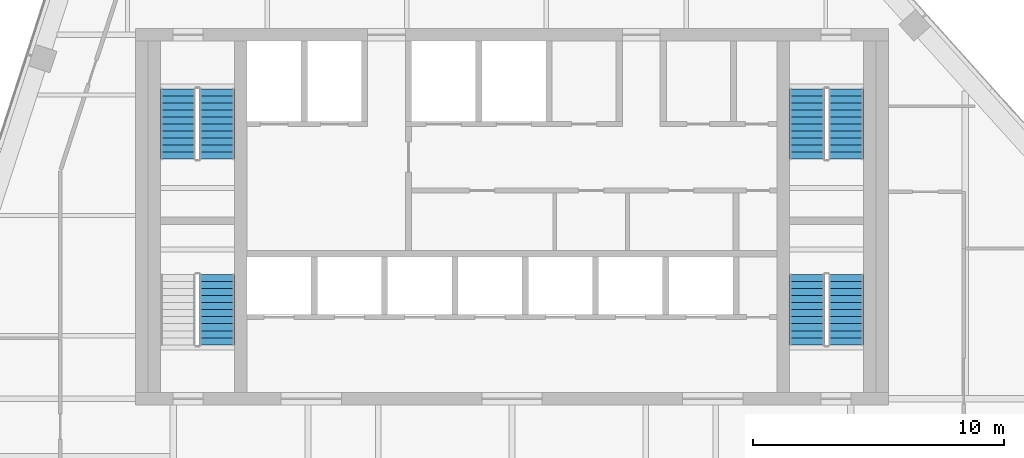
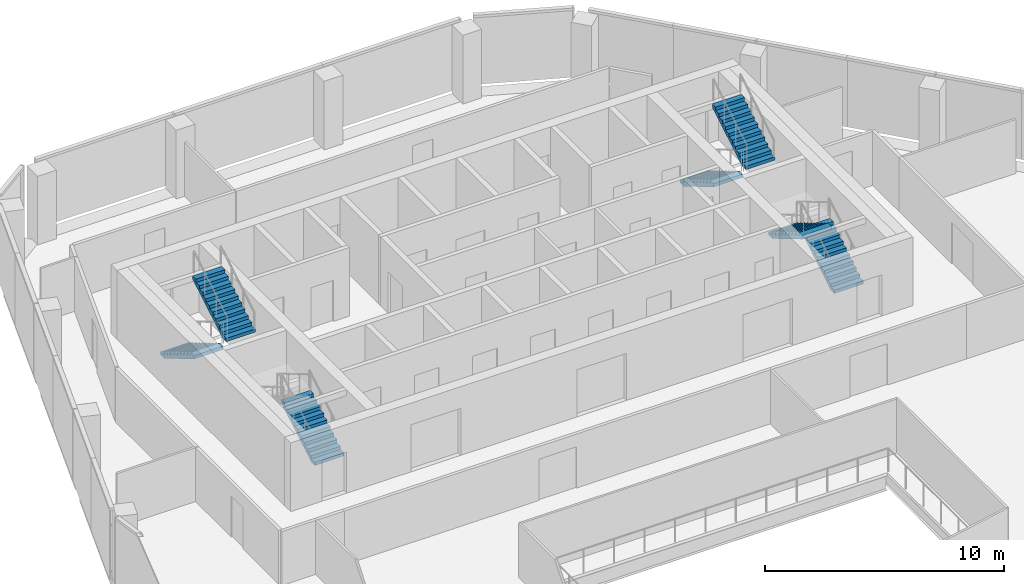
# One storey, part 10 of 15: 7 stair flights, 4 elements without a shape of their own.
"""IFC4 building model written with IfcOpenShell, lengths in metres."""

from ifc_helpers import new_model, si_unit, direction, frame, origin, place, context, subcontext, project, spatial, polyline, outline, extrude, material, type_object, element, aggregate, save


model = new_model("IFC4")

# Units and contexts
model_context = context("Model", 3, precision=1e-05, world=origin(), true_north=direction((0.0, 1.0)))
body_context = subcontext(model_context, "Body", "Model", "MODEL_VIEW")
ifc_project = project(units=[si_unit("LENGTHUNIT", "METRE"), si_unit("AREAUNIT", "SQUARE_METRE"), si_unit("VOLUMEUNIT", "CUBIC_METRE"), si_unit("PLANEANGLEUNIT", "RADIAN"), si_unit("MASSUNIT", "GRAM", prefix="KILO")], contexts=[model_context])

# Site, building, storey
site_placement = place(None, origin())
site = spatial("IfcSite", under=ifc_project, at=site_placement, CompositionType="ELEMENT")
building_placement = place(site_placement, origin())
building = spatial("IfcBuilding", under=site, at=building_placement, Name="Isthmus Gate Tower", CompositionType="ELEMENT")
storey_placement = place(building_placement, frame((0.0, 0.0, 293.800048828125)))
storey = spatial("IfcBuildingStorey", under=building, at=storey_placement, Name="L75", CompositionType="ELEMENT", Elevation=293.800048828125)

# Stair, stair flights
ifc_material_1 = material(Name="Concrete f'c 40 MPa", Category="concrete")
stair_type = type_object("IfcStairType", Name="CORE STAIR 22 RISERS", PredefinedType="HALF_TURN_STAIR", material=ifc_material_1)
stair_1_placement = place(storey_placement, origin())
stair_1 = element("IfcStair", 1, at=stair_1_placement, inside=storey, type_object=stair_type, Name="L75 Exit Stair 1", PredefinedType="HALF_TURN_STAIR")
ifc_material_2 = material(Name="Concrete f'c 40 MPa", Category="concrete")
stair_flight_type = type_object("IfcStairFlightType", Name="STAIR FLIGHT RC 1400", PredefinedType="STRAIGHT", material=ifc_material_2)
stair_flight_1_placement = place(storey_placement, frame((-13.300048828125, 12.60009765625, 0.0), z_axis=(0.0, 0.0, 1.0), x_axis=(0.0, -1.0, 0.0)))
stair_flight_1 = element("IfcStairFlight", 2, at=stair_flight_1_placement, type_object=stair_flight_type, Name="ST1 flight 1", NumberOfRisers=11, NumberOfTreads=10, PredefinedType="STRAIGHT", RiserHeight=0.165909091, TreadLength=0.28, context=body_context, shape_type="SweptSolid", body=[
    extrude(outline(polyline([(0.0, 0.0), (0.0, 0.166015625), (0.280029296875, 0.166015625), (0.280029296875, 0.331787109375), (0.56005859375, 0.331787109375), (0.56005859375, 0.497802734375), (0.840087890625, 0.497802734375), (0.840087890625, 0.66357421875), (1.1201171875, 0.66357421875), (1.1201171875, 0.82958984375), (1.39990234375, 0.82958984375), (1.39990234375, 0.995361328125), (1.679931640625, 0.995361328125), (1.679931640625, 1.161376953125), (1.9599609375, 1.161376953125), (1.9599609375, 1.327392578125), (2.239990234375, 1.327392578125), (2.239990234375, 1.4931640625), (2.52001953125, 1.4931640625), (2.52001953125, 1.6591796875), (2.800048828125, 1.6591796875), (2.800048828125, 1.824951171875), (2.800048828125, 1.48486328125), (0.2939453125, 0.0), (0.0, 0.0)])), frame((0.0, 0.699951171875, 0.0), z_axis=(0.0, -1.0, 0.0), x_axis=(1.0, 0.0, 0.0)), (0.0, 0.0, 1.0), 1.39990234375),
])
stair_flight_2_placement = place(storey_placement, frame((-11.75, 9.800048828125, 1.824951171875), z_axis=(0.0, 0.0, 1.0), x_axis=(0.0, 1.0, 0.0)))
stair_flight_2 = element("IfcStairFlight", 3, at=stair_flight_2_placement, type_object=stair_flight_type, Name="ST1 flight 2", NumberOfRisers=11, NumberOfTreads=10, PredefinedType="STRAIGHT", RiserHeight=0.165909091, TreadLength=0.28, context=body_context, shape_type="SweptSolid", body=[
    extrude(outline(polyline([(0.0, 0.0), (0.0, 0.166015625), (0.280029296875, 0.166015625), (0.280029296875, 0.331787109375), (0.56005859375, 0.331787109375), (0.56005859375, 0.497802734375), (0.840087890625, 0.497802734375), (0.840087890625, 0.66357421875), (1.1201171875, 0.66357421875), (1.1201171875, 0.82958984375), (1.39990234375, 0.82958984375), (1.39990234375, 0.995361328125), (1.679931640625, 0.995361328125), (1.679931640625, 1.161376953125), (1.9599609375, 1.161376953125), (1.9599609375, 1.327392578125), (2.239990234375, 1.327392578125), (2.239990234375, 1.4931640625), (2.52001953125, 1.4931640625), (2.52001953125, 1.6591796875), (2.800048828125, 1.6591796875), (2.800048828125, 1.824951171875), (2.800048828125, 1.48486328125), (0.2939453125, 0.0), (0.0, 0.0)])), frame((0.0, 0.699951171875, 0.0), z_axis=(0.0, -1.0, 0.0), x_axis=(1.0, 0.0, 0.0)), (0.0, 0.0, 1.0), 1.39990234375),
])
aggregate(stair_1, [stair_flight_1, stair_flight_2])

stair_2_placement = place(storey_placement, origin())
stair_2 = element("IfcStair", 4, at=stair_2_placement, inside=storey, type_object=stair_type, Name="L75 Exit Stair 2", PredefinedType="HALF_TURN_STAIR")
stair_flight_3_placement = place(storey_placement, frame((11.75, 12.60009765625, 0.0), z_axis=(0.0, 0.0, 1.0), x_axis=(0.0, -1.0, 0.0)))
stair_flight_3 = element("IfcStairFlight", 5, at=stair_flight_3_placement, type_object=stair_flight_type, Name="ST2 flight 1", NumberOfRisers=11, NumberOfTreads=10, PredefinedType="STRAIGHT", RiserHeight=0.165909091, TreadLength=0.28, context=body_context, shape_type="SweptSolid", body=[
    extrude(outline(polyline([(0.0, 0.0), (0.0, 0.166015625), (0.280029296875, 0.166015625), (0.280029296875, 0.331787109375), (0.56005859375, 0.331787109375), (0.56005859375, 0.497802734375), (0.840087890625, 0.497802734375), (0.840087890625, 0.66357421875), (1.1201171875, 0.66357421875), (1.1201171875, 0.82958984375), (1.39990234375, 0.82958984375), (1.39990234375, 0.995361328125), (1.679931640625, 0.995361328125), (1.679931640625, 1.161376953125), (1.9599609375, 1.161376953125), (1.9599609375, 1.327392578125), (2.239990234375, 1.327392578125), (2.239990234375, 1.4931640625), (2.52001953125, 1.4931640625), (2.52001953125, 1.6591796875), (2.800048828125, 1.6591796875), (2.800048828125, 1.824951171875), (2.800048828125, 1.48486328125), (0.2939453125, 0.0), (0.0, 0.0)])), frame((0.0, 0.699951171875, 0.0), z_axis=(0.0, -1.0, 0.0), x_axis=(1.0, 0.0, 0.0)), (0.0, 0.0, 1.0), 1.39990234375),
])
stair_flight_4_placement = place(storey_placement, frame((13.300048828125, 9.800048828125, 1.824951171875), z_axis=(0.0, 0.0, 1.0), x_axis=(0.0, 1.0, 0.0)))
stair_flight_4 = element("IfcStairFlight", 6, at=stair_flight_4_placement, type_object=stair_flight_type, Name="ST2 flight 2", NumberOfRisers=11, NumberOfTreads=10, PredefinedType="STRAIGHT", RiserHeight=0.165909091, TreadLength=0.28, context=body_context, shape_type="SweptSolid", body=[
    extrude(outline(polyline([(0.0, 0.0), (0.0, 0.166015625), (0.280029296875, 0.166015625), (0.280029296875, 0.331787109375), (0.56005859375, 0.331787109375), (0.56005859375, 0.497802734375), (0.840087890625, 0.497802734375), (0.840087890625, 0.66357421875), (1.1201171875, 0.66357421875), (1.1201171875, 0.82958984375), (1.39990234375, 0.82958984375), (1.39990234375, 0.995361328125), (1.679931640625, 0.995361328125), (1.679931640625, 1.161376953125), (1.9599609375, 1.161376953125), (1.9599609375, 1.327392578125), (2.239990234375, 1.327392578125), (2.239990234375, 1.4931640625), (2.52001953125, 1.4931640625), (2.52001953125, 1.6591796875), (2.800048828125, 1.6591796875), (2.800048828125, 1.824951171875), (2.800048828125, 1.48486328125), (0.2939453125, 0.0), (0.0, 0.0)])), frame((0.0, 0.699951171875, 0.0), z_axis=(0.0, -1.0, 0.0), x_axis=(1.0, 0.0, 0.0)), (0.0, 0.0, 1.0), 1.39990234375),
])
aggregate(stair_2, [stair_flight_3, stair_flight_4])

# Stair, stair flight
stair_3_placement = place(storey_placement, origin())
stair_3 = element("IfcStair", 7, at=stair_3_placement, inside=storey, type_object=stair_type, Name="L75 Exit Stair 7", PredefinedType="HALF_TURN_STAIR")
stair_flight_5_placement = place(storey_placement, frame((-11.75, 2.39990234375, 0.0), z_axis=(0.0, 0.0, 1.0), x_axis=(0.0, 1.0, 0.0)))
stair_flight_5 = element("IfcStairFlight", 8, at=stair_flight_5_placement, type_object=stair_flight_type, Name="ST7 flight 1", NumberOfRisers=11, NumberOfTreads=10, PredefinedType="STRAIGHT", RiserHeight=0.165909091, TreadLength=0.28, context=body_context, shape_type="SweptSolid", body=[
    extrude(outline(polyline([(0.0, 0.0), (0.0, 0.166015625), (0.280029296875, 0.166015625), (0.280029296875, 0.331787109375), (0.56005859375, 0.331787109375), (0.56005859375, 0.497802734375), (0.840087890625, 0.497802734375), (0.840087890625, 0.66357421875), (1.1201171875, 0.66357421875), (1.1201171875, 0.82958984375), (1.39990234375, 0.82958984375), (1.39990234375, 0.995361328125), (1.679931640625, 0.995361328125), (1.679931640625, 1.161376953125), (1.9599609375, 1.161376953125), (1.9599609375, 1.327392578125), (2.239990234375, 1.327392578125), (2.239990234375, 1.4931640625), (2.52001953125, 1.4931640625), (2.52001953125, 1.6591796875), (2.800048828125, 1.6591796875), (2.800048828125, 1.824951171875), (2.800048828125, 1.48486328125), (0.2939453125, 0.0), (0.0, 0.0)])), frame((0.0, 0.699951171875, 0.0), z_axis=(0.0, -1.0, 0.0), x_axis=(1.0, 0.0, 0.0)), (0.0, 0.0, 1.0), 1.39990234375),
])
aggregate(stair_3, [stair_flight_5])

# Stair, stair flights
stair_4_placement = place(storey_placement, origin())
stair_4 = element("IfcStair", 9, at=stair_4_placement, inside=storey, type_object=stair_type, Name="L75 Exit Stair 8", PredefinedType="HALF_TURN_STAIR")
stair_flight_6_placement = place(storey_placement, frame((13.300048828125, 2.39990234375, 0.0), z_axis=(0.0, 0.0, 1.0), x_axis=(0.0, 1.0, 0.0)))
stair_flight_6 = element("IfcStairFlight", 10, at=stair_flight_6_placement, type_object=stair_flight_type, Name="ST8 flight 1", NumberOfRisers=11, NumberOfTreads=10, PredefinedType="STRAIGHT", RiserHeight=0.165909091, TreadLength=0.28, context=body_context, shape_type="SweptSolid", body=[
    extrude(outline(polyline([(0.0, 0.0), (0.0, 0.166015625), (0.280029296875, 0.166015625), (0.280029296875, 0.331787109375), (0.56005859375, 0.331787109375), (0.56005859375, 0.497802734375), (0.840087890625, 0.497802734375), (0.840087890625, 0.66357421875), (1.1201171875, 0.66357421875), (1.1201171875, 0.82958984375), (1.39990234375, 0.82958984375), (1.39990234375, 0.995361328125), (1.679931640625, 0.995361328125), (1.679931640625, 1.161376953125), (1.9599609375, 1.161376953125), (1.9599609375, 1.327392578125), (2.239990234375, 1.327392578125), (2.239990234375, 1.4931640625), (2.52001953125, 1.4931640625), (2.52001953125, 1.6591796875), (2.800048828125, 1.6591796875), (2.800048828125, 1.824951171875), (2.800048828125, 1.48486328125), (0.2939453125, 0.0), (0.0, 0.0)])), frame((0.0, 0.699951171875, 0.0), z_axis=(0.0, -1.0, 0.0), x_axis=(1.0, 0.0, 0.0)), (0.0, 0.0, 1.0), 1.39990234375),
])
stair_flight_7_placement = place(storey_placement, frame((11.75, 5.199951171875, 1.824951171875), z_axis=(0.0, 0.0, 1.0), x_axis=(0.0, -1.0, 0.0)))
stair_flight_7 = element("IfcStairFlight", 11, at=stair_flight_7_placement, type_object=stair_flight_type, Name="ST8 flight 2", NumberOfRisers=11, NumberOfTreads=10, PredefinedType="STRAIGHT", RiserHeight=0.165909091, TreadLength=0.28, context=body_context, shape_type="SweptSolid", body=[
    extrude(outline(polyline([(0.0, 0.0), (0.0, 0.166015625), (0.280029296875, 0.166015625), (0.280029296875, 0.331787109375), (0.56005859375, 0.331787109375), (0.56005859375, 0.497802734375), (0.840087890625, 0.497802734375), (0.840087890625, 0.66357421875), (1.1201171875, 0.66357421875), (1.1201171875, 0.82958984375), (1.39990234375, 0.82958984375), (1.39990234375, 0.995361328125), (1.679931640625, 0.995361328125), (1.679931640625, 1.161376953125), (1.9599609375, 1.161376953125), (1.9599609375, 1.327392578125), (2.239990234375, 1.327392578125), (2.239990234375, 1.4931640625), (2.52001953125, 1.4931640625), (2.52001953125, 1.6591796875), (2.800048828125, 1.6591796875), (2.800048828125, 1.824951171875), (2.800048828125, 1.48486328125), (0.2939453125, 0.0), (0.0, 0.0)])), frame((0.0, 0.699951171875, 0.0), z_axis=(0.0, -1.0, 0.0), x_axis=(1.0, 0.0, 0.0)), (0.0, 0.0, 1.0), 1.39990234375),
])
aggregate(stair_4, [stair_flight_6, stair_flight_7])

save(model, "model.ifc")
